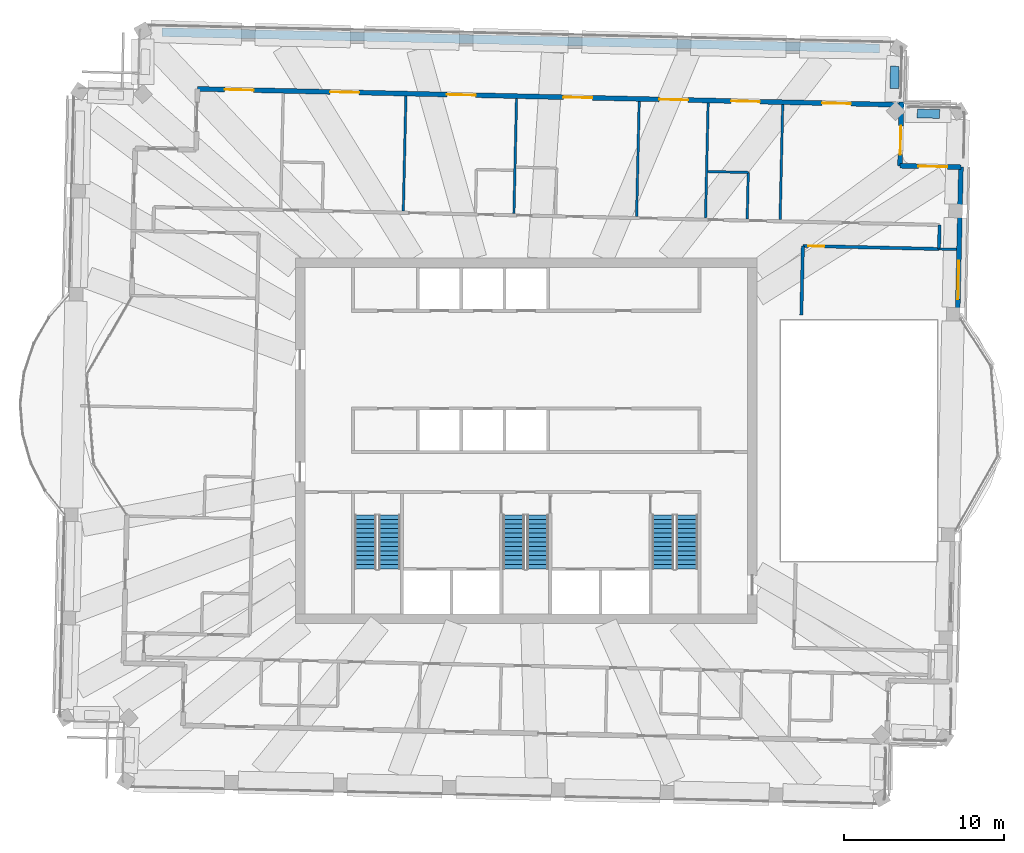
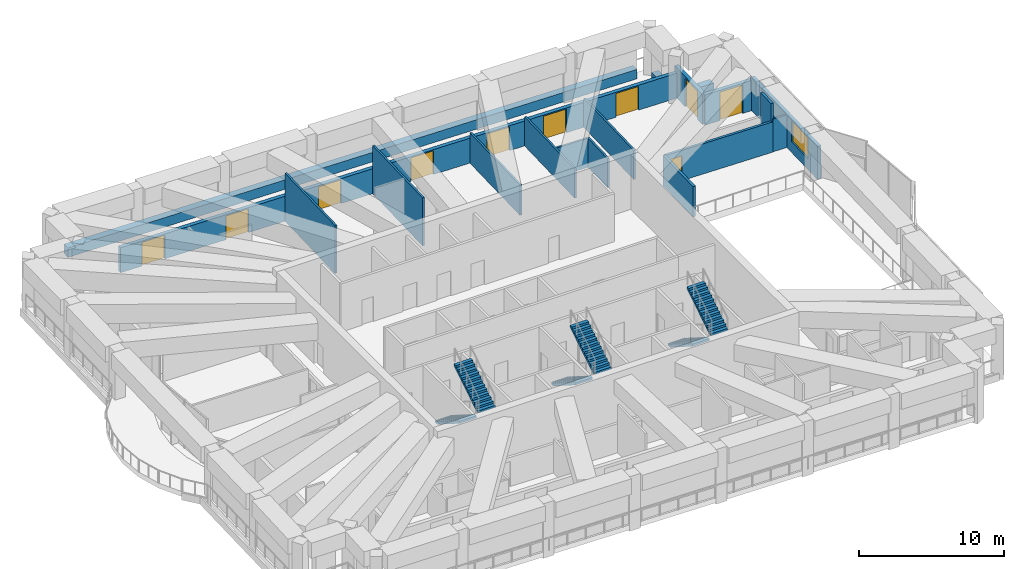
# One storey, part 11 of 17: 18 walls, 10 doors, 6 stair flights, 1 window, 11 openings, 3 elements without a shape of their own.
"""IFC4 building model written with IfcOpenShell, lengths in metres."""

from ifc_helpers import new_model, si_unit, direction, frame, frame_2d, origin, place, context, subcontext, project, spatial, polyline, rectangle, outline, extrude, material, layer, layer_set, type_object, element, fill, aggregate, save


model = new_model("IFC4")

# Units and contexts
model_context = context("Model", 3, precision=1e-05, world=origin(), true_north=direction((0.0, 1.0)))
body_context = subcontext(model_context, "Body", "Model", "MODEL_VIEW")
ifc_project = project(units=[si_unit("LENGTHUNIT", "METRE"), si_unit("AREAUNIT", "SQUARE_METRE"), si_unit("VOLUMEUNIT", "CUBIC_METRE"), si_unit("PLANEANGLEUNIT", "RADIAN"), si_unit("MASSUNIT", "GRAM", prefix="KILO")], contexts=[model_context])

# Site, building, storey
site_placement = place(None, origin())
site = spatial("IfcSite", under=ifc_project, at=site_placement, CompositionType="ELEMENT")
building_placement = place(site_placement, origin())
building = spatial("IfcBuilding", under=site, at=building_placement, Name="Mangrove Gate Tower", CompositionType="ELEMENT")
storey_placement = place(building_placement, frame((0.0, 0.0, 337.89990234375)))
storey = spatial("IfcBuildingStorey", under=building, at=storey_placement, Name="L86", CompositionType="ELEMENT", Elevation=337.89990234375)

# Wall
ifc_material_1 = material(Name="Gypsum board on steel stud, EI 60", Category="steel")
ifc_layer_1 = layer(ifc_material_1, 0.199951171875)
ifc_layer_set_1 = layer_set([ifc_layer_1], Name="Corridor wall EI 60")
wall_type_1 = type_object("IfcWallType", Name="Corridor wall EI 60", PredefinedType="PARTITIONING", material=ifc_layer_set_1)
wall_1_placement = place(storey_placement, frame((17.155029296875, 7.845947265625, 0.0), z_axis=(0.0, 0.0, 1.0), x_axis=(0.022745886685, 0.999741278851, 0.0)))
element("IfcWall", 1, at=wall_1_placement, inside=storey, type_object=wall_type_1, Name="WALL-L86-031", PredefinedType="PARTITIONING", context=body_context, shape_type="SweptSolid", body=[
    extrude(rectangle(XDim=4.30419921875, YDim=0.199951171875, at=frame_2d((2.152099609375, 0.0))), origin(), (0.0, 0.0, 1.0), 2.550048828125),
])

# Wall, opening, door
wall_2_placement = place(storey_placement, frame((17.248046875, 12.14501953125, 0.0), z_axis=(0.0, 0.0, 1.0), x_axis=(0.999741583257, -0.022732503302, 0.0)))
wall_2 = element("IfcWall", 2, at=wall_2_placement, inside=storey, type_object=wall_type_1, Name="WALL-L86-035", PredefinedType="PARTITIONING", context=body_context, shape_type="SweptSolid", body=[
    extrude(rectangle(XDim=8.4951171875, YDim=0.199951171875, at=frame_2d((4.24755859375, 0.0))), origin(), (0.0, 0.0, 1.0), 2.550048828125),
])
opening_1_placement = place(wall_2_placement, frame((0.340087890625, 0.0, 0.0)))
opening_1 = element("IfcOpeningElement", 3, at=opening_1_placement, cuts=wall_2, Name="Opening AD", PredefinedType="OPENING", context=body_context, shape_type="SweptSolid", body=[
    extrude(rectangle(XDim=1.0, YDim=2.10009765625, at=frame_2d((0.5, 1.050048828125))), frame((0.0, 0.10986328125, 0.0), z_axis=(0.0, -1.0, 0.0), x_axis=(1.0, 0.0, 0.0)), (0.0, 0.0, 1.0), 0.219970703125),
])
ifc_material_2 = material(Name="Timber door leaf", Category="wood")
door_type_1 = type_object("IfcDoorType", Name="Amenity door 1000", OperationType="SINGLE_SWING_LEFT", PredefinedType="DOOR", material=ifc_material_2)
door_1_placement = place(opening_1_placement, origin())
door_1 = element("IfcDoor", 4, at=door_1_placement, inside=storey, type_object=door_type_1, Name="DOOR-L86-KIT-c3a", OperationType="SINGLE_SWING_LEFT", OverallHeight=2.10009765625, OverallWidth=1.0, PredefinedType="DOOR", context=body_context, shape_type="SweptSolid", body=[
    extrude(rectangle(XDim=1.0, YDim=2.10009765625, at=frame_2d((0.5, 1.050048828125))), frame((0.0, 0.02490234375, 0.0), z_axis=(0.0, -1.0, 0.0), x_axis=(1.0, 0.0, 0.0)), (0.0, 0.0, 1.0), 0.050048828125),
])
fill(opening_1, door_1)

# Wall
wall_3_placement = place(storey_placement, frame((25.740966796875, 11.9560546875, 0.0), z_axis=(0.0, 0.0, 1.0), x_axis=(0.022617910375, 0.999744182344, 0.0)))
element("IfcWall", 5, at=wall_3_placement, inside=storey, type_object=wall_type_1, Name="WALL-L86-038", PredefinedType="PARTITIONING", context=body_context, shape_type="SweptSolid", body=[
    extrude(rectangle(XDim=1.50048828125, YDim=0.199951171875, at=frame_2d((0.750244140625, 0.0))), origin(), (0.0, 0.0, 1.0), 4.050048828125),
])

# Wall, opening, window
ifc_material_3 = material(Name="Limestone", Category="masonry")
ifc_layer_2 = layer(ifc_material_3, 0.0400390625, Name="Limestone cladding")
ifc_material_4 = material(Name="Ventilated air gap")
ifc_layer_3 = layer(ifc_material_4, 0.0400390625, Name="Ventilated cavity")
ifc_material_5 = material(Name="Mineral wool insulation")
ifc_layer_4 = layer(ifc_material_5, 0.06005859375, Name="Insulation")
ifc_material_6 = material(Name="Breather membrane")
ifc_layer_5 = layer(ifc_material_6, 0.001953125, Name="Breather membrane")
ifc_material_7 = material(Name="Concrete C20/25 blockwork", Category="masonry")
ifc_layer_6 = layer(ifc_material_7, 0.14990234375, Name="Blockwork backing wall")
ifc_material_8 = material(Name="Gypsum plaster")
ifc_layer_7 = layer(ifc_material_8, 0.008056640625, Name="Internal plaster")
ifc_layer_set_2 = layer_set([ifc_layer_2, ifc_layer_3, ifc_layer_4, ifc_layer_5, ifc_layer_6, ifc_layer_7], Name="External wall 300 limestone cladding")
wall_type_2 = type_object("IfcWallType", Name="External wall 300 limestone cladding", PredefinedType="SOLIDWALL", material=ifc_layer_set_2)
wall_4_placement = place(storey_placement, frame((26.889892578125, 7.47998046875, 0.0), z_axis=(0.0, 0.0, 1.0), x_axis=(0.022666384487, 0.999743084504, 0.0)))
wall_4 = element("IfcWall", 6, at=wall_4_placement, inside=storey, type_object=wall_type_2, Name="WALL-L86-E2s1", PredefinedType="SOLIDWALL", context=body_context, shape_type="SweptSolid", body=[
    extrude(rectangle(XDim=9.575439453125, YDim=0.300048828125, at=frame_2d((4.78759765625, 0.0))), origin(), (0.0, 0.0, 1.0), 2.75),
])
opening_2_placement = place(wall_4_placement, frame((1.3369140625, 0.0, 0.89990234375)))
opening_2 = element("IfcOpeningElement", 7, at=opening_2_placement, cuts=wall_4, Name="Opening W3", PredefinedType="OPENING", context=body_context, shape_type="SweptSolid", body=[
    extrude(rectangle(XDim=2.39990234375, YDim=1.800048828125, at=frame_2d((1.199951171875, 0.89990234375))), frame((0.0, 0.159912109375, 0.0), z_axis=(0.0, -1.0, 0.0), x_axis=(1.0, 0.0, 0.0)), (0.0, 0.0, 1.0), 0.320068359375),
])
ifc_material_9 = material(Name="Aluminium frame with double-glazed low-e glass", Category="aluminium")
window_type = type_object("IfcWindowType", Name="Podium window 2400x1800", PartitioningType="DOUBLE_PANEL_VERTICAL", PredefinedType="WINDOW", material=ifc_material_9)
window_placement = place(opening_2_placement, origin())
window = element("IfcWindow", 8, at=window_placement, inside=storey, type_object=window_type, Name="WIN-L86-E2-1", OverallHeight=1.800048828125, OverallWidth=2.39990234375, PartitioningType="DOUBLE_PANEL_VERTICAL", PredefinedType="WINDOW", context=body_context, shape_type="SweptSolid", body=[
    extrude(rectangle(XDim=2.39990234375, YDim=1.800048828125, at=frame_2d((1.199951171875, 0.89990234375))), frame((0.0, 0.030029296875, 0.0), z_axis=(0.0, -1.0, 0.0), x_axis=(1.0, 0.0, 0.0)), (0.0, 0.0, 1.0), 0.06005859375),
])
fill(opening_2, window)

# Wall, opening, door
wall_5_placement = place(storey_placement, frame((27.10693359375, 17.052978515625, 0.0), z_axis=(0.0, 0.0, 1.0), x_axis=(-0.999744218285, 0.022616321648, 0.0)))
wall_5 = element("IfcWall", 9, at=wall_5_placement, inside=storey, type_object=wall_type_2, Name="WALL-L86-N3", PredefinedType="SOLIDWALL", context=body_context, shape_type="SweptSolid", body=[
    extrude(rectangle(XDim=3.7998046875, YDim=0.300048828125, at=frame_2d((1.89990234375, 0.0))), origin(), (0.0, 0.0, 1.0), 2.550048828125),
])
opening_3_placement = place(wall_5_placement, frame((0.85009765625, 0.0, 0.0)))
opening_3 = element("IfcOpeningElement", 10, at=opening_3_placement, cuts=wall_5, Name="Opening TD1", PredefinedType="OPENING", context=body_context, shape_type="SweptSolid", body=[
    extrude(rectangle(XDim=1.800048828125, YDim=2.39990234375, at=frame_2d((0.89990234375, 1.199951171875))), frame((0.0, 0.159912109375, 0.0), z_axis=(0.0, -1.0, 0.0), x_axis=(1.0, 0.0, 0.0)), (0.0, 0.0, 1.0), 0.320068359375),
])
ifc_material_10 = material(Name="Aluminium frame with laminated clear glass", Category="aluminium")
door_type_2 = type_object("IfcDoorType", Name="Terrace door 1800x2400", OperationType="DOUBLE_DOOR_SINGLE_SWING", PredefinedType="DOOR", material=ifc_material_10)
door_2_placement = place(opening_3_placement, origin())
door_2 = element("IfcDoor", 11, at=door_2_placement, inside=storey, type_object=door_type_2, Name="DOOR-L86-N3-1", OperationType="DOUBLE_DOOR_SINGLE_SWING", OverallHeight=2.39990234375, OverallWidth=1.800048828125, PredefinedType="DOOR", context=body_context, shape_type="SweptSolid", body=[
    extrude(rectangle(XDim=1.800048828125, YDim=2.39990234375, at=frame_2d((0.89990234375, 1.199951171875))), frame((0.0, 0.02490234375, 0.0), z_axis=(0.0, -1.0, 0.0), x_axis=(1.0, 0.0, 0.0)), (0.0, 0.0, 1.0), 0.050048828125),
])
fill(opening_3, door_2)

wall_6_placement = place(storey_placement, frame((23.30810546875, 17.138916015625, 0.0), z_axis=(0.0, 0.0, 1.0), x_axis=(0.022595875351, 0.999744680615, 0.0)))
wall_6 = element("IfcWall", 12, at=wall_6_placement, inside=storey, type_object=wall_type_2, Name="WALL-L86-E4s1", PredefinedType="SOLIDWALL", context=body_context, shape_type="SweptSolid", body=[
    extrude(rectangle(XDim=3.97607421875, YDim=0.300048828125, at=frame_2d((1.988037109375, 0.0))), origin(), (0.0, 0.0, 1.0), 2.550048828125),
])
opening_4_placement = place(wall_6_placement, frame((0.698974609375, 0.0, 0.0)))
opening_4 = element("IfcOpeningElement", 13, at=opening_4_placement, cuts=wall_6, Name="Opening TD1", PredefinedType="OPENING", context=body_context, shape_type="SweptSolid", body=[
    extrude(rectangle(XDim=1.800048828125, YDim=2.39990234375, at=frame_2d((0.89990234375, 1.199951171875))), frame((0.0, 0.159912109375, 0.0), z_axis=(0.0, -1.0, 0.0), x_axis=(1.0, 0.0, 0.0)), (0.0, 0.0, 1.0), 0.320068359375),
])
door_3_placement = place(opening_4_placement, origin())
door_3 = element("IfcDoor", 14, at=door_3_placement, inside=storey, type_object=door_type_2, Name="DOOR-L86-E4-1", OperationType="DOUBLE_DOOR_SINGLE_SWING", OverallHeight=2.39990234375, OverallWidth=1.800048828125, PredefinedType="DOOR", context=body_context, shape_type="SweptSolid", body=[
    extrude(rectangle(XDim=1.800048828125, YDim=2.39990234375, at=frame_2d((0.89990234375, 1.199951171875))), frame((0.0, 0.02490234375, 0.0), z_axis=(0.0, -1.0, 0.0), x_axis=(1.0, 0.0, 0.0)), (0.0, 0.0, 1.0), 0.050048828125),
])
fill(opening_4, door_3)

# Wall, openings, doors
wall_7_placement = place(storey_placement, frame((23.39404296875, 20.93798828125, 0.0), z_axis=(0.0, 0.0, 1.0), x_axis=(-0.99974255281, 0.02268982375, 0.0)))
wall_7 = element("IfcWall", 15, at=wall_7_placement, inside=storey, type_object=wall_type_2, Name="WALL-L86-N5", PredefinedType="SOLIDWALL", context=body_context, shape_type="SweptSolid", body=[
    extrude(rectangle(XDim=43.900390625, YDim=0.300048828125, at=frame_2d((21.9501953125, 0.0))), origin(), (0.0, 0.0, 1.0), 2.10009765625),
])
opening_5_placement = place(wall_7_placement, frame((3.15087890625, 0.0, 0.0)))
opening_5 = element("IfcOpeningElement", 16, at=opening_5_placement, cuts=wall_7, Name="Opening TD2", PredefinedType="OPENING", context=body_context, shape_type="SweptSolid", body=[
    extrude(rectangle(XDim=1.800048828125, YDim=2.0, at=frame_2d((0.89990234375, 1.0))), frame((0.0, 0.159912109375, 0.0), z_axis=(0.0, -1.0, 0.0), x_axis=(1.0, 0.0, 0.0)), (0.0, 0.0, 1.0), 0.320068359375),
])
opening_6_placement = place(wall_7_placement, frame((8.824951171875, 0.0, 0.0)))
opening_6 = element("IfcOpeningElement", 17, at=opening_6_placement, cuts=wall_7, Name="Opening TD2", PredefinedType="OPENING", context=body_context, shape_type="SweptSolid", body=[
    extrude(rectangle(XDim=1.800048828125, YDim=2.0, at=frame_2d((0.89990234375, 1.0))), frame((0.0, 0.159912109375, 0.0), z_axis=(0.0, -1.0, 0.0), x_axis=(1.0, 0.0, 0.0)), (0.0, 0.0, 1.0), 0.320068359375),
])
opening_7_placement = place(wall_7_placement, frame((13.300048828125, 0.0, 0.0)))
opening_7 = element("IfcOpeningElement", 18, at=opening_7_placement, cuts=wall_7, Name="Opening TD2", PredefinedType="OPENING", context=body_context, shape_type="SweptSolid", body=[
    extrude(rectangle(XDim=1.800048828125, YDim=2.0, at=frame_2d((0.89990234375, 1.0))), frame((0.0, 0.159912109375, 0.0), z_axis=(0.0, -1.0, 0.0), x_axis=(1.0, 0.0, 0.0)), (0.0, 0.0, 1.0), 0.320068359375),
])
opening_8_placement = place(wall_7_placement, frame((19.27490234375, 0.0, 0.0)))
opening_8 = element("IfcOpeningElement", 19, at=opening_8_placement, cuts=wall_7, Name="Opening TD2", PredefinedType="OPENING", context=body_context, shape_type="SweptSolid", body=[
    extrude(rectangle(XDim=1.800048828125, YDim=2.0, at=frame_2d((0.89990234375, 1.0))), frame((0.0, 0.159912109375, 0.0), z_axis=(0.0, -1.0, 0.0), x_axis=(1.0, 0.0, 0.0)), (0.0, 0.0, 1.0), 0.320068359375),
])
opening_9_placement = place(wall_7_placement, frame((26.550048828125, 0.0, 0.0)))
opening_9 = element("IfcOpeningElement", 20, at=opening_9_placement, cuts=wall_7, Name="Opening TD2", PredefinedType="OPENING", context=body_context, shape_type="SweptSolid", body=[
    extrude(rectangle(XDim=1.800048828125, YDim=2.0, at=frame_2d((0.89990234375, 1.0))), frame((0.0, 0.159912109375, 0.0), z_axis=(0.0, -1.0, 0.0), x_axis=(1.0, 0.0, 0.0)), (0.0, 0.0, 1.0), 0.320068359375),
])
opening_10_placement = place(wall_7_placement, frame((33.824951171875, 0.0, 0.0)))
opening_10 = element("IfcOpeningElement", 21, at=opening_10_placement, cuts=wall_7, Name="Opening TD2", PredefinedType="OPENING", context=body_context, shape_type="SweptSolid", body=[
    extrude(rectangle(XDim=1.800048828125, YDim=2.0, at=frame_2d((0.89990234375, 1.0))), frame((0.0, 0.159912109375, 0.0), z_axis=(0.0, -1.0, 0.0), x_axis=(1.0, 0.0, 0.0)), (0.0, 0.0, 1.0), 0.320068359375),
])
opening_11_placement = place(wall_7_placement, frame((40.39990234375, 0.0, 0.0)))
opening_11 = element("IfcOpeningElement", 22, at=opening_11_placement, cuts=wall_7, Name="Opening TD2", PredefinedType="OPENING", context=body_context, shape_type="SweptSolid", body=[
    extrude(rectangle(XDim=1.800048828125, YDim=2.0, at=frame_2d((0.89990234375, 1.0))), frame((0.0, 0.159912109375, 0.0), z_axis=(0.0, -1.0, 0.0), x_axis=(1.0, 0.0, 0.0)), (0.0, 0.0, 1.0), 0.320068359375),
])
ifc_material_11 = material(Name="Aluminium frame with laminated clear glass", Category="aluminium")
door_type_3 = type_object("IfcDoorType", Name="Terrace door 1800x2000", OperationType="DOUBLE_DOOR_SINGLE_SWING", PredefinedType="DOOR", material=ifc_material_11)
door_4_placement = place(opening_5_placement, origin())
door_4 = element("IfcDoor", 23, at=door_4_placement, inside=storey, type_object=door_type_3, Name="DOOR-L86-N5-1", OperationType="DOUBLE_DOOR_SINGLE_SWING", OverallHeight=2.0, OverallWidth=1.800048828125, PredefinedType="DOOR", context=body_context, shape_type="SweptSolid", body=[
    extrude(rectangle(XDim=1.800048828125, YDim=2.0, at=frame_2d((0.89990234375, 1.0))), frame((0.0, 0.02490234375, 0.0), z_axis=(0.0, -1.0, 0.0), x_axis=(1.0, 0.0, 0.0)), (0.0, 0.0, 1.0), 0.050048828125),
])
fill(opening_5, door_4)
door_5_placement = place(opening_6_placement, origin())
door_5 = element("IfcDoor", 24, at=door_5_placement, inside=storey, type_object=door_type_3, Name="DOOR-L86-N5-2", OperationType="DOUBLE_DOOR_SINGLE_SWING", OverallHeight=2.0, OverallWidth=1.800048828125, PredefinedType="DOOR", context=body_context, shape_type="SweptSolid", body=[
    extrude(rectangle(XDim=1.800048828125, YDim=2.0, at=frame_2d((0.89990234375, 1.0))), frame((0.0, 0.02490234375, 0.0), z_axis=(0.0, -1.0, 0.0), x_axis=(1.0, 0.0, 0.0)), (0.0, 0.0, 1.0), 0.050048828125),
])
fill(opening_6, door_5)
door_6_placement = place(opening_7_placement, origin())
door_6 = element("IfcDoor", 25, at=door_6_placement, inside=storey, type_object=door_type_3, Name="DOOR-L86-N5-3", OperationType="DOUBLE_DOOR_SINGLE_SWING", OverallHeight=2.0, OverallWidth=1.800048828125, PredefinedType="DOOR", context=body_context, shape_type="SweptSolid", body=[
    extrude(rectangle(XDim=1.800048828125, YDim=2.0, at=frame_2d((0.89990234375, 1.0))), frame((0.0, 0.02490234375, 0.0), z_axis=(0.0, -1.0, 0.0), x_axis=(1.0, 0.0, 0.0)), (0.0, 0.0, 1.0), 0.050048828125),
])
fill(opening_7, door_6)
door_7_placement = place(opening_8_placement, origin())
door_7 = element("IfcDoor", 26, at=door_7_placement, inside=storey, type_object=door_type_3, Name="DOOR-L86-N5-4", OperationType="DOUBLE_DOOR_SINGLE_SWING", OverallHeight=2.0, OverallWidth=1.800048828125, PredefinedType="DOOR", context=body_context, shape_type="SweptSolid", body=[
    extrude(rectangle(XDim=1.800048828125, YDim=2.0, at=frame_2d((0.89990234375, 1.0))), frame((0.0, 0.02490234375, 0.0), z_axis=(0.0, -1.0, 0.0), x_axis=(1.0, 0.0, 0.0)), (0.0, 0.0, 1.0), 0.050048828125),
])
fill(opening_8, door_7)
door_8_placement = place(opening_9_placement, origin())
door_8 = element("IfcDoor", 27, at=door_8_placement, inside=storey, type_object=door_type_3, Name="DOOR-L86-N5-5", OperationType="DOUBLE_DOOR_SINGLE_SWING", OverallHeight=2.0, OverallWidth=1.800048828125, PredefinedType="DOOR", context=body_context, shape_type="SweptSolid", body=[
    extrude(rectangle(XDim=1.800048828125, YDim=2.0, at=frame_2d((0.89990234375, 1.0))), frame((0.0, 0.02490234375, 0.0), z_axis=(0.0, -1.0, 0.0), x_axis=(1.0, 0.0, 0.0)), (0.0, 0.0, 1.0), 0.050048828125),
])
fill(opening_9, door_8)
door_9_placement = place(opening_10_placement, origin())
door_9 = element("IfcDoor", 28, at=door_9_placement, inside=storey, type_object=door_type_3, Name="DOOR-L86-N5-6", OperationType="DOUBLE_DOOR_SINGLE_SWING", OverallHeight=2.0, OverallWidth=1.800048828125, PredefinedType="DOOR", context=body_context, shape_type="SweptSolid", body=[
    extrude(rectangle(XDim=1.800048828125, YDim=2.0, at=frame_2d((0.89990234375, 1.0))), frame((0.0, 0.02490234375, 0.0), z_axis=(0.0, -1.0, 0.0), x_axis=(1.0, 0.0, 0.0)), (0.0, 0.0, 1.0), 0.050048828125),
])
fill(opening_10, door_9)
door_10_placement = place(opening_11_placement, origin())
door_10 = element("IfcDoor", 29, at=door_10_placement, inside=storey, type_object=door_type_3, Name="DOOR-L86-N5-7", OperationType="DOUBLE_DOOR_SINGLE_SWING", OverallHeight=2.0, OverallWidth=1.800048828125, PredefinedType="DOOR", context=body_context, shape_type="SweptSolid", body=[
    extrude(rectangle(XDim=1.800048828125, YDim=2.0, at=frame_2d((0.89990234375, 1.0))), frame((0.0, 0.02490234375, 0.0), z_axis=(0.0, -1.0, 0.0), x_axis=(1.0, 0.0, 0.0)), (0.0, 0.0, 1.0), 0.050048828125),
])
fill(opening_11, door_10)

# Walls
ifc_material_12 = material(Name="Gypsum board on steel stud, EI 60", Category="steel")
ifc_layer_8 = layer(ifc_material_12, 0.14990234375)
ifc_layer_set_3 = layer_set([ifc_layer_8], Name="Party wall 150 EI 60")
wall_type_3 = type_object("IfcWallType", Name="Party wall 150 EI 60", PredefinedType="PARTITIONING", material=ifc_layer_set_3)
wall_8_placement = place(storey_placement, frame((25.740966796875, 11.951904296875, 0.0), z_axis=(0.0, 0.0, 1.0), x_axis=(0.9997438932, -0.022630687329, 0.0)))
element("IfcWall", 30, at=wall_8_placement, inside=storey, type_object=wall_type_3, Name="WALL-L86-036", PredefinedType="PARTITIONING", context=body_context, shape_type="SweptSolid", body=[
    extrude(rectangle(XDim=1.100341796875, YDim=0.14990234375, at=frame_2d((0.55029296875, 0.0))), origin(), (0.0, 0.0, 1.0), 2.75),
])
wall_9_placement = place(storey_placement, frame((-7.6640625, 14.31494140625, 0.0), z_axis=(0.0, 0.0, 1.0), x_axis=(0.022726815178, 0.99974171258, 0.0)))
element("IfcWall", 31, at=wall_9_placement, inside=storey, type_object=wall_type_3, Name="WALL-L86-042", PredefinedType="PARTITIONING", context=body_context, shape_type="SweptSolid", body=[
    extrude(rectangle(XDim=7.176025390625, YDim=0.14990234375, at=frame_2d((3.587890625, 0.0))), origin(), (0.0, 0.0, 1.0), 4.050048828125),
])
wall_10_placement = place(storey_placement, frame((-0.76611328125, 14.157958984375, 0.0), z_axis=(0.0, 0.0, 1.0), x_axis=(0.022723723534, 0.999741782856, 0.0)))
element("IfcWall", 32, at=wall_10_placement, inside=storey, type_object=wall_type_3, Name="WALL-L86-044", PredefinedType="PARTITIONING", context=body_context, shape_type="SweptSolid", body=[
    extrude(rectangle(XDim=7.177001953125, YDim=0.14990234375, at=frame_2d((3.58837890625, 0.0))), origin(), (0.0, 0.0, 1.0), 4.050048828125),
])
wall_11_placement = place(storey_placement, frame((6.882080078125, 13.985107421875, 0.0), z_axis=(0.0, 0.0, 1.0), x_axis=(0.02269358242, 0.999742467497, 0.0)))
element("IfcWall", 33, at=wall_11_placement, inside=storey, type_object=wall_type_3, Name="WALL-L86-046", PredefinedType="PARTITIONING", context=body_context, shape_type="SweptSolid", body=[
    extrude(rectangle(XDim=7.17578125, YDim=0.14990234375, at=frame_2d((3.587890625, 0.0))), origin(), (0.0, 0.0, 1.0), 2.550048828125),
])
wall_12_placement = place(storey_placement, frame((11.180908203125, 13.886962890625, 0.0), z_axis=(0.0, 0.0, 1.0), x_axis=(0.022726815178, 0.99974171258, 0.0)))
element("IfcWall", 34, at=wall_12_placement, inside=storey, type_object=wall_type_3, Name="WALL-L86-047", PredefinedType="PARTITIONING", context=body_context, shape_type="SweptSolid", body=[
    extrude(rectangle(XDim=7.176025390625, YDim=0.14990234375, at=frame_2d((3.587890625, 0.0))), origin(), (0.0, 0.0, 1.0), 2.4501953125),
])
wall_13_placement = place(storey_placement, frame((13.780029296875, 13.827880859375, 0.0), z_axis=(0.0, 0.0, 1.0), x_axis=(0.022730967319, 0.999741618182, 0.0)))
element("IfcWall", 35, at=wall_13_placement, inside=storey, type_object=wall_type_3, Name="WALL-L86-048", PredefinedType="PARTITIONING", context=body_context, shape_type="SweptSolid", body=[
    extrude(rectangle(XDim=2.89990234375, YDim=0.14990234375, at=frame_2d((1.449951171875, 0.0))), origin(), (0.0, 0.0, 1.0), 2.4501953125),
])
wall_14_placement = place(storey_placement, frame((15.830078125, 13.781982421875, 0.0), z_axis=(0.0, 0.0, 1.0), x_axis=(0.022692810533, 0.999742485018, 0.0)))
element("IfcWall", 36, at=wall_14_placement, inside=storey, type_object=wall_type_3, Name="WALL-L86-049", PredefinedType="PARTITIONING", context=body_context, shape_type="SweptSolid", body=[
    extrude(rectangle(XDim=7.176025390625, YDim=0.14990234375, at=frame_2d((3.587890625, 0.0))), origin(), (0.0, 0.0, 1.0), 2.4501953125),
])
wall_15_placement = place(storey_placement, frame((11.322021484375, 16.781005859375, 0.0), z_axis=(0.0, 0.0, 1.0), x_axis=(0.999735102249, -0.023015762656, 0.0)))
element("IfcWall", 37, at=wall_15_placement, inside=storey, type_object=wall_type_3, Name="WALL-L86-053", PredefinedType="PARTITIONING", context=body_context, shape_type="SweptSolid", body=[
    extrude(rectangle(XDim=2.524658203125, YDim=0.14990234375, at=frame_2d((1.26220703125, 0.0))), origin(), (0.0, 0.0, 1.0), 2.4501953125),
])
ifc_material_13 = material(Name="Concrete C32/40", Category="concrete")
ifc_layer_9 = layer(ifc_material_13, 0.199951171875, Name="Planter trough wall")
ifc_material_14 = material(Name="Bituminous waterproofing membrane")
ifc_layer_10 = layer(ifc_material_14, 0.0048828125, Name="Waterproofing")
ifc_material_15 = material(Name="Drainage board and gravel")
ifc_layer_11 = layer(ifc_material_15, 0.044921875, Name="Drainage layer")
ifc_material_16 = material(Name="Planting soil")
ifc_layer_12 = layer(ifc_material_16, 0.300048828125, Name="Growing medium")
ifc_layer_set_4 = layer_set([ifc_layer_9, ifc_layer_10, ifc_layer_11, ifc_layer_12], Name="Planter wall 550 C32/40")
wall_type_4 = type_object("IfcWallType", Name="Planter wall 550 C32/40", PredefinedType="USERDEFINED", material=ifc_layer_set_4)
wall_16_placement = place(storey_placement, frame((24.382080078125, 20.39990234375, 0.0), z_axis=(0.0, 0.0, 1.0), x_axis=(0.999754810245, -0.022143156767, 0.0)))
element("IfcWall", 38, at=wall_16_placement, inside=storey, type_object=wall_type_4, Name="PLANTER L86 T1.1.6", ObjectType="PLANTER", PredefinedType="USERDEFINED", context=body_context, shape_type="SweptSolid", body=[
    extrude(rectangle(XDim=1.400146484375, YDim=0.550048828125, at=frame_2d((0.7001953125, 0.0))), origin(), (0.0, 0.0, 1.0), 0.800048828125),
])
wall_17_placement = place(storey_placement, frame((-22.715087890625, 25.470947265625, 0.0), z_axis=(0.0, 0.0, 1.0), x_axis=(0.999741798928, -0.022723016434, 0.0)))
element("IfcWall", 39, at=wall_17_placement, inside=storey, type_object=wall_type_4, Name="PLANTER L86 T3.3.6", ObjectType="PLANTER", PredefinedType="USERDEFINED", context=body_context, shape_type="SweptSolid", body=[
    extrude(rectangle(XDim=44.74951171875, YDim=0.550048828125, at=frame_2d((22.374755859375, 0.0))), origin(), (0.0, 0.0, 1.0), 0.800048828125),
])
wall_18_placement = place(storey_placement, frame((22.98291015625, 23.347900390625, 0.0), z_axis=(0.0, 0.0, 1.0), x_axis=(-0.022143156767, -0.999754810245, 0.0)))
element("IfcWall", 40, at=wall_18_placement, inside=storey, type_object=wall_type_4, Name="PLANTER L86 T3.4.6", ObjectType="PLANTER", PredefinedType="USERDEFINED", context=body_context, shape_type="SweptSolid", body=[
    extrude(rectangle(XDim=1.400146484375, YDim=0.550048828125, at=frame_2d((0.7001953125, 0.0))), origin(), (0.0, 0.0, 1.0), 0.800048828125),
])

# Stair, stair flights
ifc_material_17 = material(Name="Concrete C40/50", Category="concrete")
stair_type = type_object("IfcStairType", Name="Core stair 1350", PredefinedType="HALF_TURN_STAIR", material=ifc_material_17)
stair_1_placement = place(storey_placement, origin())
stair_1 = element("IfcStair", 41, at=stair_1_placement, inside=storey, type_object=stair_type, Name="L86 Stair 1", PredefinedType="HALF_TURN_STAIR")
ifc_material_18 = material(Name="Concrete C40/50", Category="concrete")
stair_flight_type = type_object("IfcStairFlightType", Name="Core stair flight 1350", PredefinedType="STRAIGHT", material=ifc_material_18)
stair_flight_1_placement = place(storey_placement, frame((-10.02490234375, -4.64990234375, 0.0), z_axis=(0.0, 0.0, 1.0), x_axis=(0.0, -1.0, 0.0)))
stair_flight_1 = element("IfcStairFlight", 42, at=stair_flight_1_placement, type_object=stair_flight_type, Name="ST1 flight 1", NumberOfRisers=13, NumberOfTreads=12, PredefinedType="STRAIGHT", RiserHeight=0.176923077, TreadLength=0.28, context=body_context, shape_type="SweptSolid", body=[
    extrude(outline(polyline([(0.0, 0.0), (0.0, 0.177001953125), (0.280029296875, 0.177001953125), (0.280029296875, 0.353759765625), (0.56005859375, 0.353759765625), (0.56005859375, 0.53076171875), (0.840087890625, 0.53076171875), (0.840087890625, 0.707763671875), (1.1201171875, 0.707763671875), (1.1201171875, 0.884521484375), (1.39990234375, 0.884521484375), (1.39990234375, 1.0615234375), (1.679931640625, 1.0615234375), (1.679931640625, 1.238525390625), (1.9599609375, 1.238525390625), (1.9599609375, 1.415283203125), (2.239990234375, 1.415283203125), (2.239990234375, 1.59228515625), (2.52001953125, 1.59228515625), (2.52001953125, 1.769287109375), (2.800048828125, 1.769287109375), (2.800048828125, 1.946044921875), (3.080078125, 1.946044921875), (3.080078125, 2.123046875), (3.360107421875, 2.123046875), (3.360107421875, 2.300048828125), (3.360107421875, 1.94580078125), (0.280517578125, 0.0), (0.0, 0.0)])), frame((0.0, 0.675048828125, 0.0), z_axis=(0.0, -1.0, 0.0), x_axis=(1.0, 0.0, 0.0)), (0.0, 0.0, 1.0), 1.35009765625),
])
stair_flight_2_placement = place(storey_placement, frame((-8.52490234375, -8.010009765625, 2.300048828125), z_axis=(0.0, 0.0, 1.0), x_axis=(0.0, 1.0, 0.0)))
stair_flight_2 = element("IfcStairFlight", 43, at=stair_flight_2_placement, type_object=stair_flight_type, Name="ST1 flight 2", NumberOfRisers=13, NumberOfTreads=12, PredefinedType="STRAIGHT", RiserHeight=0.176923077, TreadLength=0.28, context=body_context, shape_type="SweptSolid", body=[
    extrude(outline(polyline([(0.0, 0.0), (0.0, 0.177001953125), (0.280029296875, 0.177001953125), (0.280029296875, 0.353759765625), (0.56005859375, 0.353759765625), (0.56005859375, 0.53076171875), (0.840087890625, 0.53076171875), (0.840087890625, 0.707763671875), (1.1201171875, 0.707763671875), (1.1201171875, 0.884521484375), (1.39990234375, 0.884521484375), (1.39990234375, 1.0615234375), (1.679931640625, 1.0615234375), (1.679931640625, 1.238525390625), (1.9599609375, 1.238525390625), (1.9599609375, 1.415283203125), (2.239990234375, 1.415283203125), (2.239990234375, 1.59228515625), (2.52001953125, 1.59228515625), (2.52001953125, 1.769287109375), (2.800048828125, 1.769287109375), (2.800048828125, 1.946044921875), (3.080078125, 1.946044921875), (3.080078125, 2.123046875), (3.360107421875, 2.123046875), (3.360107421875, 2.300048828125), (3.360107421875, 1.94580078125), (0.280517578125, 0.0), (0.0, 0.0)])), frame((0.0, 0.675048828125, 0.0), z_axis=(0.0, -1.0, 0.0), x_axis=(1.0, 0.0, 0.0)), (0.0, 0.0, 1.0), 1.35009765625),
])
aggregate(stair_1, [stair_flight_1, stair_flight_2])

stair_2_placement = place(storey_placement, origin())
stair_2 = element("IfcStair", 44, at=stair_2_placement, inside=storey, type_object=stair_type, Name="L86 Stair 2", PredefinedType="HALF_TURN_STAIR")
stair_flight_3_placement = place(storey_placement, frame((-0.77490234375, -4.64990234375, 0.0), z_axis=(0.0, 0.0, 1.0), x_axis=(0.0, -1.0, 0.0)))
stair_flight_3 = element("IfcStairFlight", 45, at=stair_flight_3_placement, type_object=stair_flight_type, Name="ST2 flight 1", NumberOfRisers=13, NumberOfTreads=12, PredefinedType="STRAIGHT", RiserHeight=0.176923077, TreadLength=0.28, context=body_context, shape_type="SweptSolid", body=[
    extrude(outline(polyline([(0.0, 0.0), (0.0, 0.177001953125), (0.280029296875, 0.177001953125), (0.280029296875, 0.353759765625), (0.56005859375, 0.353759765625), (0.56005859375, 0.53076171875), (0.840087890625, 0.53076171875), (0.840087890625, 0.707763671875), (1.1201171875, 0.707763671875), (1.1201171875, 0.884521484375), (1.39990234375, 0.884521484375), (1.39990234375, 1.0615234375), (1.679931640625, 1.0615234375), (1.679931640625, 1.238525390625), (1.9599609375, 1.238525390625), (1.9599609375, 1.415283203125), (2.239990234375, 1.415283203125), (2.239990234375, 1.59228515625), (2.52001953125, 1.59228515625), (2.52001953125, 1.769287109375), (2.800048828125, 1.769287109375), (2.800048828125, 1.946044921875), (3.080078125, 1.946044921875), (3.080078125, 2.123046875), (3.360107421875, 2.123046875), (3.360107421875, 2.300048828125), (3.360107421875, 1.94580078125), (0.280517578125, 0.0), (0.0, 0.0)])), frame((0.0, 0.675048828125, 0.0), z_axis=(0.0, -1.0, 0.0), x_axis=(1.0, 0.0, 0.0)), (0.0, 0.0, 1.0), 1.35009765625),
])
stair_flight_4_placement = place(storey_placement, frame((0.72509765625, -8.010009765625, 2.300048828125), z_axis=(0.0, 0.0, 1.0), x_axis=(0.0, 1.0, 0.0)))
stair_flight_4 = element("IfcStairFlight", 46, at=stair_flight_4_placement, type_object=stair_flight_type, Name="ST2 flight 2", NumberOfRisers=13, NumberOfTreads=12, PredefinedType="STRAIGHT", RiserHeight=0.176923077, TreadLength=0.28, context=body_context, shape_type="SweptSolid", body=[
    extrude(outline(polyline([(0.0, 0.0), (0.0, 0.177001953125), (0.280029296875, 0.177001953125), (0.280029296875, 0.353759765625), (0.56005859375, 0.353759765625), (0.56005859375, 0.53076171875), (0.840087890625, 0.53076171875), (0.840087890625, 0.707763671875), (1.1201171875, 0.707763671875), (1.1201171875, 0.884521484375), (1.39990234375, 0.884521484375), (1.39990234375, 1.0615234375), (1.679931640625, 1.0615234375), (1.679931640625, 1.238525390625), (1.9599609375, 1.238525390625), (1.9599609375, 1.415283203125), (2.239990234375, 1.415283203125), (2.239990234375, 1.59228515625), (2.52001953125, 1.59228515625), (2.52001953125, 1.769287109375), (2.800048828125, 1.769287109375), (2.800048828125, 1.946044921875), (3.080078125, 1.946044921875), (3.080078125, 2.123046875), (3.360107421875, 2.123046875), (3.360107421875, 2.300048828125), (3.360107421875, 1.94580078125), (0.280517578125, 0.0), (0.0, 0.0)])), frame((0.0, 0.675048828125, 0.0), z_axis=(0.0, -1.0, 0.0), x_axis=(1.0, 0.0, 0.0)), (0.0, 0.0, 1.0), 1.35009765625),
])
aggregate(stair_2, [stair_flight_3, stair_flight_4])

stair_3_placement = place(storey_placement, origin())
stair_3 = element("IfcStair", 47, at=stair_3_placement, inside=storey, type_object=stair_type, Name="L86 Stair 3", PredefinedType="HALF_TURN_STAIR")
stair_flight_5_placement = place(storey_placement, frame((8.52490234375, -4.64990234375, 0.0), z_axis=(0.0, 0.0, 1.0), x_axis=(0.0, -1.0, 0.0)))
stair_flight_5 = element("IfcStairFlight", 48, at=stair_flight_5_placement, type_object=stair_flight_type, Name="ST3 flight 1", NumberOfRisers=13, NumberOfTreads=12, PredefinedType="STRAIGHT", RiserHeight=0.176923077, TreadLength=0.28, context=body_context, shape_type="SweptSolid", body=[
    extrude(outline(polyline([(0.0, 0.0), (0.0, 0.177001953125), (0.280029296875, 0.177001953125), (0.280029296875, 0.353759765625), (0.56005859375, 0.353759765625), (0.56005859375, 0.53076171875), (0.840087890625, 0.53076171875), (0.840087890625, 0.707763671875), (1.1201171875, 0.707763671875), (1.1201171875, 0.884521484375), (1.39990234375, 0.884521484375), (1.39990234375, 1.0615234375), (1.679931640625, 1.0615234375), (1.679931640625, 1.238525390625), (1.9599609375, 1.238525390625), (1.9599609375, 1.415283203125), (2.239990234375, 1.415283203125), (2.239990234375, 1.59228515625), (2.52001953125, 1.59228515625), (2.52001953125, 1.769287109375), (2.800048828125, 1.769287109375), (2.800048828125, 1.946044921875), (3.080078125, 1.946044921875), (3.080078125, 2.123046875), (3.360107421875, 2.123046875), (3.360107421875, 2.300048828125), (3.360107421875, 1.94580078125), (0.280517578125, 0.0), (0.0, 0.0)])), frame((0.0, 0.675048828125, 0.0), z_axis=(0.0, -1.0, 0.0), x_axis=(1.0, 0.0, 0.0)), (0.0, 0.0, 1.0), 1.35009765625),
])
stair_flight_6_placement = place(storey_placement, frame((10.02490234375, -8.010009765625, 2.300048828125), z_axis=(0.0, 0.0, 1.0), x_axis=(0.0, 1.0, 0.0)))
stair_flight_6 = element("IfcStairFlight", 49, at=stair_flight_6_placement, type_object=stair_flight_type, Name="ST3 flight 2", NumberOfRisers=13, NumberOfTreads=12, PredefinedType="STRAIGHT", RiserHeight=0.176923077, TreadLength=0.28, context=body_context, shape_type="SweptSolid", body=[
    extrude(outline(polyline([(0.0, 0.0), (0.0, 0.177001953125), (0.280029296875, 0.177001953125), (0.280029296875, 0.353759765625), (0.56005859375, 0.353759765625), (0.56005859375, 0.53076171875), (0.840087890625, 0.53076171875), (0.840087890625, 0.707763671875), (1.1201171875, 0.707763671875), (1.1201171875, 0.884521484375), (1.39990234375, 0.884521484375), (1.39990234375, 1.0615234375), (1.679931640625, 1.0615234375), (1.679931640625, 1.238525390625), (1.9599609375, 1.238525390625), (1.9599609375, 1.415283203125), (2.239990234375, 1.415283203125), (2.239990234375, 1.59228515625), (2.52001953125, 1.59228515625), (2.52001953125, 1.769287109375), (2.800048828125, 1.769287109375), (2.800048828125, 1.946044921875), (3.080078125, 1.946044921875), (3.080078125, 2.123046875), (3.360107421875, 2.123046875), (3.360107421875, 2.300048828125), (3.360107421875, 1.94580078125), (0.280517578125, 0.0), (0.0, 0.0)])), frame((0.0, 0.675048828125, 0.0), z_axis=(0.0, -1.0, 0.0), x_axis=(1.0, 0.0, 0.0)), (0.0, 0.0, 1.0), 1.35009765625),
])
aggregate(stair_3, [stair_flight_5, stair_flight_6])

save(model, "model.ifc")
